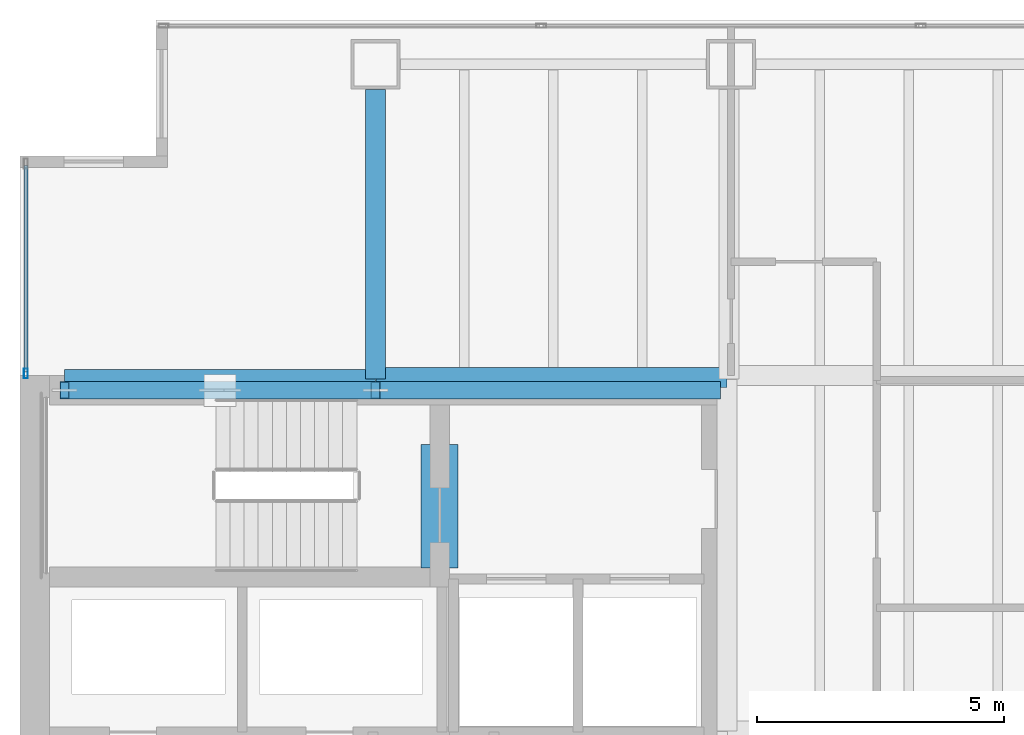
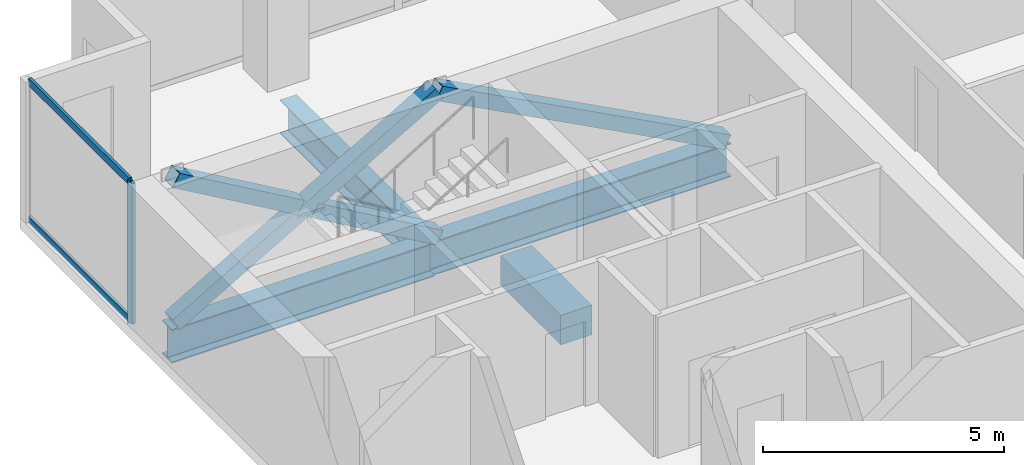
# One storey, part 14 of 23: 7 members, 4 beams, 1 element without a shape of its own.
"""IFC4 building model written with IfcOpenShell, lengths in metres."""

from ifc_helpers import new_model, si_unit, direction, frame, origin, origin_2d, place, context, subcontext, project, spatial, rectangle, hollow_rectangle, i_section, extrude, material, material_profile, profile_set, type_object, element, aggregate, save


model = new_model("IFC4")

# Units and contexts
model_context = context("Model", 3, precision=1e-05, world=origin(), true_north=direction((0.0, 1.0)))
body_context = subcontext(model_context, "Body", "Model", "MODEL_VIEW")
ifc_project = project(units=[si_unit("LENGTHUNIT", "METRE"), si_unit("AREAUNIT", "SQUARE_METRE"), si_unit("VOLUMEUNIT", "CUBIC_METRE"), si_unit("PLANEANGLEUNIT", "RADIAN"), si_unit("MASSUNIT", "GRAM", prefix="KILO")], contexts=[model_context])

# Site, building, storey
site_placement = place(None, origin())
site = spatial("IfcSite", under=ifc_project, at=site_placement, CompositionType="ELEMENT")
building_placement = place(site_placement, origin())
building = spatial("IfcBuilding", under=site, at=building_placement, Name="Cobrela Telecom Tower", CompositionType="ELEMENT")
storey_placement = place(building_placement, frame((0.0, 0.0, 73.5)))
storey = spatial("IfcBuildingStorey", under=building, at=storey_placement, Name="L18", CompositionType="ELEMENT", Elevation=73.5)

# Beams
ifc_material_1 = material(Name="Concrete C40/50", Category="concrete")
ifc_material_profile_1 = material_profile(ifc_material_1, rectangle(XDim=0.75, YDim=0.75, at=origin_2d()), Name="RC 750x750")
ifc_profile_set_1 = profile_set([ifc_material_profile_1], Name="Concrete C40/50")
beam_type_1 = type_object("IfcBeamType", Name="BM-COUP-RC", PredefinedType="LINTEL", material=ifc_profile_set_1)
beam_1_placement = place(storey_placement, frame((8.5, 32.10009765625, -0.6298828125), z_axis=(0.0, 1.0, 0.0), x_axis=(-1.0, 0.0, 0.0)))
element("IfcBeam", 1, at=beam_1_placement, inside=storey, type_object=beam_type_1, Name="L18 Core Coupling Lintel Beam", PredefinedType="LINTEL", context=body_context, shape_type="SweptSolid", body=[
    extrude(rectangle(XDim=0.75, YDim=0.75, at=origin_2d()), origin(), (0.0, 0.0, 1.0), 2.5),
])
ifc_material_2 = material(Name="Steel ASTM A992 Grade 50", Category="steel")
ifc_material_profile_2 = material_profile(ifc_material_2, i_section(OverallWidth=0.39892578125, OverallDepth=0.85595703125, WebThickness=0.018310546875, FlangeThickness=0.029296875, FilletRadius=0.02001953125, at=origin_2d()), Name="W33X201")
ifc_profile_set_2 = profile_set([ifc_material_profile_2], Name="Steel ASTM A992 Grade 50")
beam_type_2 = type_object("IfcBeamType", Name="BM-GIRD-03", PredefinedType="USERDEFINED", material=ifc_profile_set_2)
beam_2_placement = place(storey_placement, frame((0.905029296875, 35.919921875, -0.7080078125), z_axis=(1.0, 0.0, 0.0), x_axis=(0.0, 1.0, 0.0)))
element("IfcBeam", 2, at=beam_2_placement, inside=storey, type_object=beam_type_2, Name="L18 Primary Girder X25", ObjectType="GIRDER", PredefinedType="USERDEFINED", context=body_context, shape_type="SweptSolid", body=[
    extrude(i_section(OverallWidth=0.39892578125, OverallDepth=0.85595703125, WebThickness=0.018310546875, FlangeThickness=0.029296875, FilletRadius=0.02001953125, at=origin_2d()), origin(), (0.0, 0.0, 1.0), 6.2900390625),
])
beam_3_placement = place(storey_placement, frame((7.205078125, 35.9599609375, -0.7080078125), z_axis=(1.0, 0.0, 0.0), x_axis=(0.0, 1.0, 0.0)))
element("IfcBeam", 3, at=beam_3_placement, inside=storey, type_object=beam_type_2, Name="L18 Primary Girder X26", ObjectType="GIRDER", PredefinedType="USERDEFINED", context=body_context, shape_type="SweptSolid", body=[
    extrude(i_section(OverallWidth=0.39892578125, OverallDepth=0.85595703125, WebThickness=0.018310546875, FlangeThickness=0.029296875, FilletRadius=0.02001953125, at=origin_2d()), origin(), (0.0, 0.0, 1.0), 7.10986328125),
])
beam_4_placement = place(storey_placement, frame((7.199951171875, 35.925048828125, -0.7080078125), z_axis=(0.0, 1.0, 0.0), x_axis=(-1.0, 0.0, 0.0)))
element("IfcBeam", 4, at=beam_4_placement, inside=storey, type_object=beam_type_2, Name="L18 Primary Girder Y33", ObjectType="GIRDER", PredefinedType="USERDEFINED", context=body_context, shape_type="SweptSolid", body=[
    extrude(i_section(OverallWidth=0.39892578125, OverallDepth=0.85595703125, WebThickness=0.018310546875, FlangeThickness=0.029296875, FilletRadius=0.02001953125, at=origin_2d()), origin(), (0.0, 0.0, 1.0), 5.869873046875),
])

# Curtain wall, members
ifc_material_3 = material(Name="Anodized Bronze Aluminium 6063-T6", Category="aluminium")
curtain_wall_type = type_object("IfcCurtainWallType", Name="CW-SYS-DATA", PredefinedType="USERDEFINED", material=ifc_material_3)
curtain_wall_placement = place(storey_placement, origin())
curtain_wall = element("IfcCurtainWall", 5, at=curtain_wall_placement, inside=storey, type_object=curtain_wall_type, Name="L18 Unitised Bronze Curtain Wall 04", ObjectType="UNITISED CURTAIN WALL", PredefinedType="USERDEFINED")
ifc_material_profile_3 = material_profile(ifc_material_3, hollow_rectangle(XDim=0.080078125, YDim=0.199951171875, WallThickness=0.00390625, at=origin_2d()), Name="ALU 80x200x4")
ifc_profile_set_3 = profile_set([ifc_material_profile_3], Name="Anodized Bronze Aluminium 6063-T6")
member_type_1 = type_object("IfcMemberType", Name="CW-SYS-DATA-MUL", PredefinedType="MULLION", material=ifc_profile_set_3)
member_1_placement = place(storey_placement, frame((0.1201171875, 36.0400390625, 0.0), z_axis=(0.0, 0.0, 1.0), x_axis=(-1.0, 0.0, 0.0)))
member_1 = element("IfcMember", 6, at=member_1_placement, type_object=member_type_1, Name="CW-DATA mullion 1", PredefinedType="MULLION", context=body_context, shape_type="SweptSolid", body=[
    extrude(hollow_rectangle(XDim=0.080078125, YDim=0.199951171875, WallThickness=0.00390625, at=origin_2d()), origin(), (0.0, 0.0, 1.0), 3.570068359375),
])
ifc_material_profile_4 = material_profile(ifc_material_3, hollow_rectangle(XDim=0.074951171875, YDim=0.179931640625, WallThickness=0.00390625, at=origin_2d()), Name="ALU 75x180x4")
ifc_profile_set_4 = profile_set([ifc_material_profile_4], Name="Anodized Bronze Aluminium 6063-T6")
member_type_2 = type_object("IfcMemberType", Name="CW-SYS-DATA-TRN", PredefinedType="USERDEFINED", material=ifc_profile_set_4)
member_2_placement = place(storey_placement, frame((0.1201171875, 36.080078125, 0.03759765625), z_axis=(0.0, 1.0, 0.0), x_axis=(-1.0, 0.0, 0.0)))
member_2 = element("IfcMember", 7, at=member_2_placement, type_object=member_type_2, Name="CW-DATA transom 1.1", ObjectType="TRANSOM", PredefinedType="USERDEFINED", context=body_context, shape_type="SweptSolid", body=[
    extrude(hollow_rectangle(XDim=0.074951171875, YDim=0.179931640625, WallThickness=0.00390625, at=origin_2d()), origin(), (0.0, 0.0, 1.0), 4.169921875),
])
member_3_placement = place(storey_placement, frame((0.1201171875, 36.080078125, 3.532470703125), z_axis=(0.0, 1.0, 0.0), x_axis=(-1.0, 0.0, 0.0)))
member_3 = element("IfcMember", 8, at=member_3_placement, type_object=member_type_2, Name="CW-DATA transom 1.2", ObjectType="TRANSOM", PredefinedType="USERDEFINED", context=body_context, shape_type="SweptSolid", body=[
    extrude(hollow_rectangle(XDim=0.074951171875, YDim=0.179931640625, WallThickness=0.00390625, at=origin_2d()), origin(), (0.0, 0.0, 1.0), 4.169921875),
])
aggregate(curtain_wall, [member_1, member_2, member_3])

# Members
ifc_material_4 = material(Name="Steel ASTM A572 Grade 50", Category="steel")
ifc_material_profile_5 = material_profile(ifc_material_4, hollow_rectangle(XDim=0.35009765625, YDim=0.35009765625, WallThickness=0.01611328125, at=origin_2d()), Name="HSS 350x350x16")
ifc_profile_set_5 = profile_set([ifc_material_profile_5], Name="Steel ASTM A572 Grade 50")
member_type_3 = type_object("IfcMemberType", Name="MBR-EXO-02", PredefinedType="BRACE", material=ifc_profile_set_5)
member_4_placement = place(storey_placement, frame((0.89990234375, 35.699951171875, -0.0400390625), z_axis=(0.865262480916, 0.0, 0.501319099096), x_axis=(0.0, 1.0, 0.0)))
element("IfcMember", 9, at=member_4_placement, inside=storey, type_object=member_type_3, Name="L18 Core Flange Steel X-Brace Continuous A", PredefinedType="BRACE", context=body_context, shape_type="SweptSolid", body=[
    extrude(hollow_rectangle(XDim=0.35009765625, YDim=0.35009765625, WallThickness=0.01611328125, at=origin_2d()), origin(), (0.0, 0.0, 1.0), 7.281005859375),
])
for number, where, z_axis, x_axis, name in (
    (10, (7.199951171875, 35.699951171875, -0.0400390625), (-0.865266106373, 0.0, 0.50131284161), (0.0, -1.0, 0.0), "L18 Core Flange Steel X-Brace Split B1"),
    (11, (3.88037109375, 35.699951171875, 1.88330078125), (-0.865266106373, 0.0, 0.50131284161), (0.0, -1.0, 0.0), "L18 Core Flange Steel X-Brace Split B2"),
):
    element("IfcMember", number, at=place(storey_placement, frame(where, z_axis=z_axis, x_axis=x_axis)), inside=storey, type_object=member_type_3, Name=name, PredefinedType="BRACE", context=body_context, shape_type="SweptSolid", body=[
        extrude(hollow_rectangle(XDim=0.35009765625, YDim=0.35009765625, WallThickness=0.01611328125, at=origin_2d()), origin(), (0.0, 0.0, 1.0), 3.444580078125),
    ])
member_5_placement = place(storey_placement, frame((14.10009765625, 35.699951171875, -0.0400390625), z_axis=(-0.883940020796, 0.0, 0.46760029901), x_axis=(0.0, -1.0, 0.0)))
element("IfcMember", 12, at=member_5_placement, inside=storey, type_object=member_type_3, Name="L18 Core Flange Steel Brace N2", PredefinedType="BRACE", context=body_context, shape_type="SweptSolid", body=[
    extrude(hollow_rectangle(XDim=0.35009765625, YDim=0.35009765625, WallThickness=0.01611328125, at=origin_2d()), origin(), (0.0, 0.0, 1.0), 7.80615234375),
])

save(model, "model.ifc")
